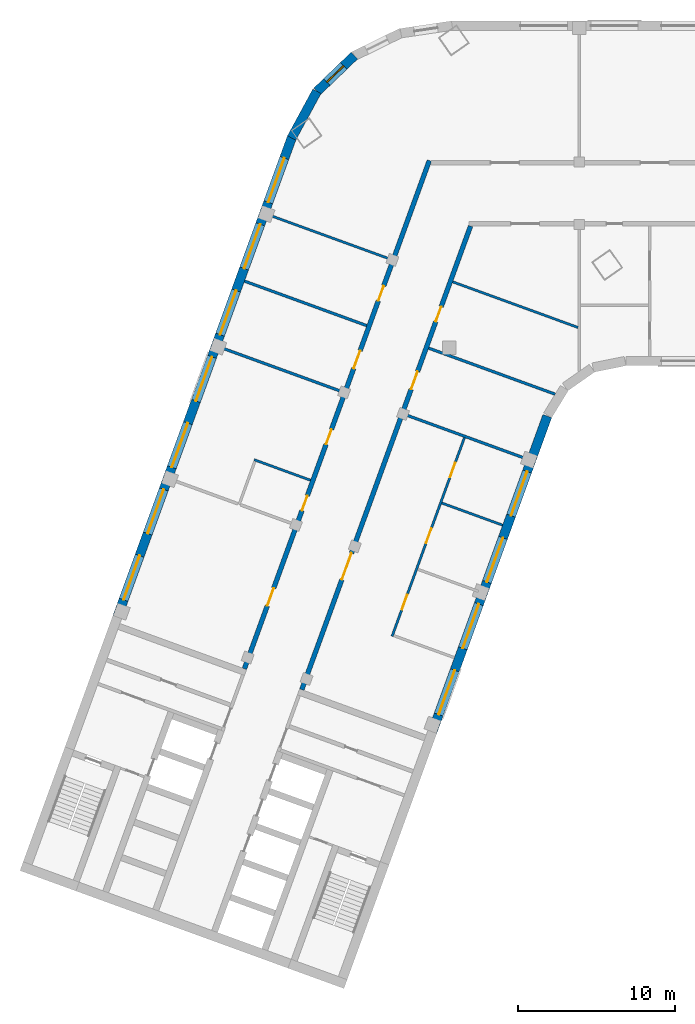
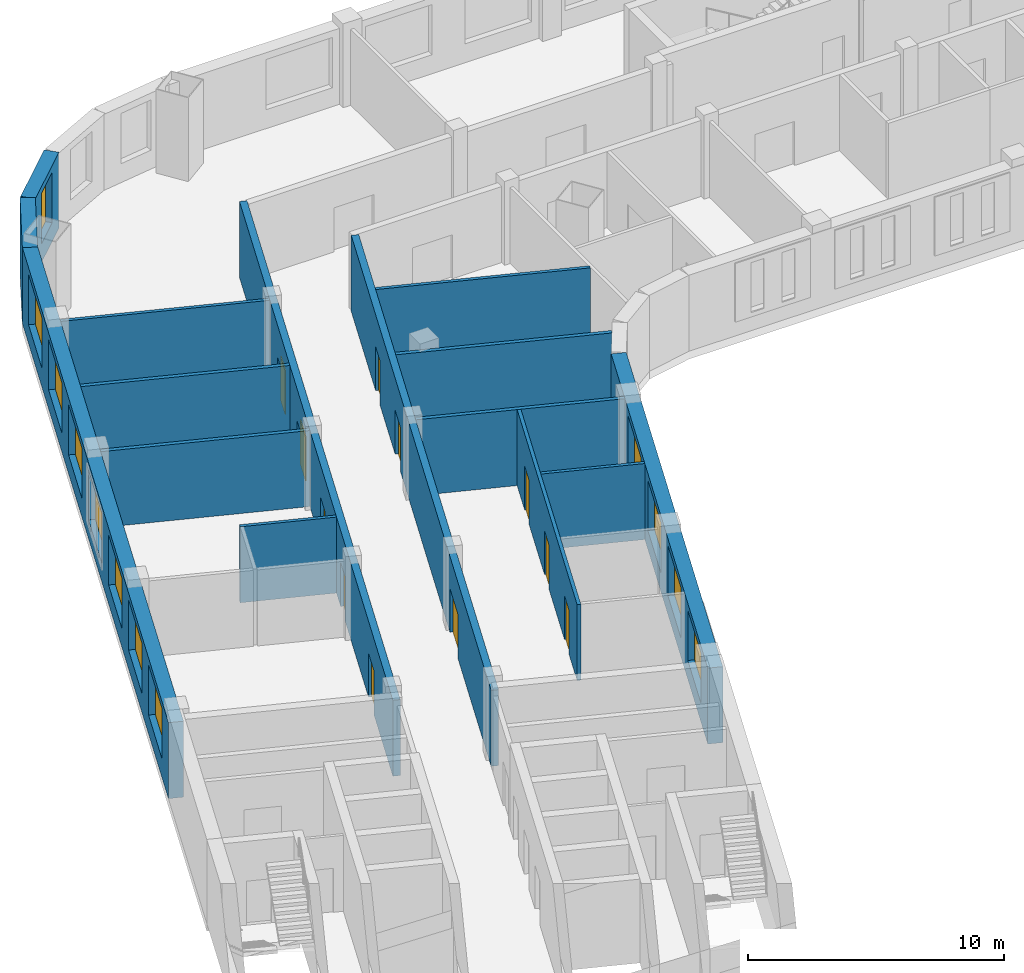
# One storey, part 3 of 8: 15 walls, 12 windows, 11 doors, 23 openings.
"""IFC4 building model written with IfcOpenShell, lengths in metres."""

from ifc_helpers import new_model, si_unit, direction, frame, frame_2d, origin, place, context, subcontext, project, spatial, rectangle, extrude, material, layer, layer_set, type_object, element, fill, save


model = new_model("IFC4")

# Units and contexts
model_context = context("Model", 3, precision=1e-05, world=origin(), true_north=direction((0.0, 1.0)))
body_context = subcontext(model_context, "Body", "Model", "MODEL_VIEW")
ifc_project = project(units=[si_unit("LENGTHUNIT", "METRE"), si_unit("AREAUNIT", "SQUARE_METRE"), si_unit("VOLUMEUNIT", "CUBIC_METRE"), si_unit("PLANEANGLEUNIT", "RADIAN"), si_unit("MASSUNIT", "GRAM", prefix="KILO")], contexts=[model_context])

# Site, building, storey
site_placement = place(None, origin())
site = spatial("IfcSite", under=ifc_project, at=site_placement, CompositionType="ELEMENT")
building_placement = place(site_placement, origin())
building = spatial("IfcBuilding", under=site, at=building_placement, Name="Skarvind Civic Tower", CompositionType="ELEMENT")
storey_placement = place(building_placement, frame((0.0, 0.0, 125.0)))
storey = spatial("IfcBuildingStorey", under=building, at=storey_placement, Name="L29", CompositionType="ELEMENT", Elevation=125.0)

# Walls
ifc_material_1 = material(Name="Acoustic gypsum board on steel studs", Category="steel")
ifc_layer_1 = layer(ifc_material_1, 0.175048828125)
ifc_layer_set_1 = layer_set([ifc_layer_1], Name="ACOUSTIC MEETING-ROOM PARTITION 175")
wall_type_1 = type_object("IfcWallType", Name="ACOUSTIC MEETING-ROOM PARTITION 175", PredefinedType="PARTITIONING", material=ifc_layer_set_1)
wall_1_placement = place(storey_placement, frame((31.35302734375, 118.166015625, 0.0), z_axis=(0.0, 0.0, 1.0), x_axis=(0.939687752599, -0.342033518263, 0.0)))
element("IfcWall", 1, at=wall_1_placement, inside=storey, type_object=wall_type_1, Name="Partition 29.002", PredefinedType="PARTITIONING", context=body_context, shape_type="SweptSolid", body=[
    extrude(rectangle(XDim=8.30078125, YDim=0.175048828125, at=frame_2d((4.150390625, 0.0))), origin(), (0.0, 0.0, 1.0), 3.625),
])
wall_2_placement = place(storey_placement, frame((32.89208984375, 122.39501953125, 0.0), z_axis=(0.0, 0.0, 1.0), x_axis=(0.939684311623, -0.3420429717, 0.0)))
element("IfcWall", 2, at=wall_2_placement, inside=storey, type_object=wall_type_1, Name="Partition 29.006", PredefinedType="PARTITIONING", context=body_context, shape_type="SweptSolid", body=[
    extrude(rectangle(XDim=8.300537109375, YDim=0.175048828125, at=frame_2d((4.150390625, 0.0))), origin(), (0.0, 0.0, 1.0), 3.625),
])
wall_3_placement = place(storey_placement, frame((43.10009765625, 113.89111328125, 0.0), z_axis=(0.0, 0.0, 1.0), x_axis=(0.939670544866, -0.342080790328, 0.0)))
element("IfcWall", 3, at=wall_3_placement, inside=storey, type_object=wall_type_1, Name="Partition 29.011", PredefinedType="PARTITIONING", context=body_context, shape_type="SweptSolid", body=[
    extrude(rectangle(XDim=8.299560546875, YDim=0.175048828125, at=frame_2d((4.14990234375, 0.0))), origin(), (0.0, 0.0, 1.0), 3.625),
])
wall_4_placement = place(storey_placement, frame((44.638916015625, 118.1201171875, 0.0), z_axis=(0.0, 0.0, 1.0), x_axis=(0.939669707102, -0.342083091593, 0.0)))
element("IfcWall", 4, at=wall_4_placement, inside=storey, type_object=wall_type_1, Name="Partition 29.013", PredefinedType="PARTITIONING", context=body_context, shape_type="SweptSolid", body=[
    extrude(rectangle(XDim=8.58935546875, YDim=0.175048828125, at=frame_2d((4.294677734375, 0.0))), origin(), (0.0, 0.0, 1.0), 3.625),
])

# Wall, openings, doors
ifc_material_2 = material(Name="Fire-rated gypsum board on steel studs", Category="steel")
ifc_layer_2 = layer(ifc_material_2, 0.300048828125)
ifc_layer_set_2 = layer_set([ifc_layer_2], Name="CORRIDOR WALL 300")
wall_type_2 = type_object("IfcWallType", Name="CORRIDOR WALL 300", PredefinedType="PARTITIONING", material=ifc_layer_set_2)
wall_5_placement = place(storey_placement, frame((32.881103515625, 97.656982421875, 0.0), z_axis=(0.0, 0.0, 1.0), x_axis=(0.342017360004, 0.939693633828, 0.0)))
wall_5 = element("IfcWall", 5, at=wall_5_placement, inside=storey, type_object=wall_type_2, Name="Partition 29.005", PredefinedType="PARTITIONING", context=body_context, shape_type="SweptSolid", body=[
    extrude(rectangle(XDim=34.515625, YDim=0.300048828125, at=frame_2d((17.2578125, 0.0))), origin(), (0.0, 0.0, 1.0), 3.625),
])
opening_1_placement = place(wall_5_placement, frame((4.27490234375, 0.0, 0.0)))
opening_1 = element("IfcOpeningElement", 6, at=opening_1_placement, cuts=wall_5, Name="Opening L29-D017", PredefinedType="OPENING", context=body_context, shape_type="SweptSolid", body=[
    extrude(rectangle(XDim=1.199951171875, YDim=2.10009765625, at=frame_2d((0.60009765625, 1.050048828125))), frame((0.0, 0.159912109375, 0.0), z_axis=(0.0, -1.0, 0.0), x_axis=(1.0, 0.0, 0.0)), (0.0, 0.0, 1.0), 0.320068359375),
])
opening_2_placement = place(wall_5_placement, frame((10.75, 0.0, 0.0)))
opening_2 = element("IfcOpeningElement", 7, at=opening_2_placement, cuts=wall_5, Name="Opening L29-D018", PredefinedType="OPENING", context=body_context, shape_type="SweptSolid", body=[
    extrude(rectangle(XDim=1.0, YDim=2.10009765625, at=frame_2d((0.5, 1.050048828125))), frame((0.0, 0.159912109375, 0.0), z_axis=(0.0, -1.0, 0.0), x_axis=(1.0, 0.0, 0.0)), (0.0, 0.0, 1.0), 0.320068359375),
])
opening_3_placement = place(wall_5_placement, frame((15.249755859375, 0.0, 0.0)))
opening_3 = element("IfcOpeningElement", 8, at=opening_3_placement, cuts=wall_5, Name="Opening L29-D019", PredefinedType="OPENING", context=body_context, shape_type="SweptSolid", body=[
    extrude(rectangle(XDim=1.0, YDim=2.10009765625, at=frame_2d((0.5, 1.050048828125))), frame((0.0, 0.159912109375, 0.0), z_axis=(0.0, -1.0, 0.0), x_axis=(1.0, 0.0, 0.0)), (0.0, 0.0, 1.0), 0.320068359375),
])
opening_4_placement = place(wall_5_placement, frame((20.39990234375, 0.0, 0.0)))
opening_4 = element("IfcOpeningElement", 9, at=opening_4_placement, cuts=wall_5, Name="Opening L29-D020", PredefinedType="OPENING", context=body_context, shape_type="SweptSolid", body=[
    extrude(rectangle(XDim=1.199951171875, YDim=2.10009765625, at=frame_2d((0.60009765625, 1.050048828125))), frame((0.0, 0.159912109375, 0.0), z_axis=(0.0, -1.0, 0.0), x_axis=(1.0, 0.0, 0.0)), (0.0, 0.0, 1.0), 0.320068359375),
])
opening_5_placement = place(wall_5_placement, frame((25.000244140625, 0.0, 0.0)))
opening_5 = element("IfcOpeningElement", 10, at=opening_5_placement, cuts=wall_5, Name="Opening L29-D021", PredefinedType="OPENING", context=body_context, shape_type="SweptSolid", body=[
    extrude(rectangle(XDim=1.0, YDim=2.10009765625, at=frame_2d((0.5, 1.050048828125))), frame((0.0, 0.159912109375, 0.0), z_axis=(0.0, -1.0, 0.0), x_axis=(1.0, 0.0, 0.0)), (0.0, 0.0, 1.0), 0.320068359375),
])
ifc_material_3 = material(Name="Fire-rated timber door leaf", Category="wood")
door_type_1 = type_object("IfcDoorType", Name="FD1 1000x2100", OperationType="NOTDEFINED", PredefinedType="DOOR", material=ifc_material_3)
door_1_placement = place(opening_2_placement, origin())
door_1 = element("IfcDoor", 11, at=door_1_placement, inside=storey, type_object=door_type_1, Name="Door L29-D018", OperationType="SINGLE_SWING_RIGHT", OverallHeight=2.10009765625, OverallWidth=1.0, PredefinedType="DOOR", context=body_context, shape_type="SweptSolid", body=[
    extrude(rectangle(XDim=1.0, YDim=2.10009765625, at=frame_2d((0.5, 1.050048828125))), frame((0.0, 0.02490234375, 0.0), z_axis=(0.0, -1.0, 0.0), x_axis=(1.0, 0.0, 0.0)), (0.0, 0.0, 1.0), 0.050048828125),
])
fill(opening_2, door_1)
door_2_placement = place(opening_3_placement, origin())
door_2 = element("IfcDoor", 12, at=door_2_placement, inside=storey, type_object=door_type_1, Name="Door L29-D019", OperationType="SINGLE_SWING_LEFT", OverallHeight=2.10009765625, OverallWidth=1.0, PredefinedType="DOOR", context=body_context, shape_type="SweptSolid", body=[
    extrude(rectangle(XDim=1.0, YDim=2.10009765625, at=frame_2d((0.5, 1.050048828125))), frame((0.0, 0.02490234375, 0.0), z_axis=(0.0, -1.0, 0.0), x_axis=(1.0, 0.0, 0.0)), (0.0, 0.0, 1.0), 0.050048828125),
])
fill(opening_3, door_2)
door_3_placement = place(opening_5_placement, origin())
door_3 = element("IfcDoor", 13, at=door_3_placement, inside=storey, type_object=door_type_1, Name="Door L29-D021", OperationType="SINGLE_SWING_RIGHT", OverallHeight=2.10009765625, OverallWidth=1.0, PredefinedType="DOOR", context=body_context, shape_type="SweptSolid", body=[
    extrude(rectangle(XDim=1.0, YDim=2.10009765625, at=frame_2d((0.5, 1.050048828125))), frame((0.0, 0.02490234375, 0.0), z_axis=(0.0, -1.0, 0.0), x_axis=(1.0, 0.0, 0.0)), (0.0, 0.0, 1.0), 0.050048828125),
])
fill(opening_5, door_3)
door_type_2 = type_object("IfcDoorType", Name="FD6 1200x2100 DOUBLE", OperationType="NOTDEFINED", PredefinedType="DOOR", material=ifc_material_3)
door_4_placement = place(opening_1_placement, origin())
door_4 = element("IfcDoor", 14, at=door_4_placement, inside=storey, type_object=door_type_2, Name="Door L29-D017", OperationType="DOUBLE_DOOR_SINGLE_SWING", OverallHeight=2.10009765625, OverallWidth=1.199951171875, PredefinedType="DOOR", context=body_context, shape_type="SweptSolid", body=[
    extrude(rectangle(XDim=1.199951171875, YDim=2.10009765625, at=frame_2d((0.60009765625, 1.050048828125))), frame((0.0, 0.02490234375, 0.0), z_axis=(0.0, -1.0, 0.0), x_axis=(1.0, 0.0, 0.0)), (0.0, 0.0, 1.0), 0.050048828125),
])
fill(opening_1, door_4)
door_5_placement = place(opening_4_placement, origin())
door_5 = element("IfcDoor", 15, at=door_5_placement, inside=storey, type_object=door_type_2, Name="Door L29-D020", OperationType="DOUBLE_DOOR_SINGLE_SWING", OverallHeight=2.10009765625, OverallWidth=1.199951171875, PredefinedType="DOOR", context=body_context, shape_type="SweptSolid", body=[
    extrude(rectangle(XDim=1.199951171875, YDim=2.10009765625, at=frame_2d((0.60009765625, 1.050048828125))), frame((0.0, 0.02490234375, 0.0), z_axis=(0.0, -1.0, 0.0), x_axis=(1.0, 0.0, 0.0)), (0.0, 0.0, 1.0), 0.050048828125),
])
fill(opening_4, door_5)

wall_6_placement = place(storey_placement, frame((47.31396484375, 125.908935546875, 0.0), z_axis=(0.0, 0.0, 1.0), x_axis=(-0.342010770371, -0.939696032209, 0.0)))
wall_6 = element("IfcWall", 16, at=wall_6_placement, inside=storey, type_object=wall_type_2, Name="Partition 29.016", PredefinedType="PARTITIONING", context=body_context, shape_type="SweptSolid", body=[
    extrude(rectangle(XDim=31.484619140625, YDim=0.300048828125, at=frame_2d((15.7421875, 0.0))), origin(), (0.0, 0.0, 1.0), 3.625),
])
opening_6_placement = place(wall_6_placement, frame((22.209716796875, 0.0, 0.0)))
opening_6 = element("IfcOpeningElement", 17, at=opening_6_placement, cuts=wall_6, Name="Opening L29-D025", PredefinedType="OPENING", context=body_context, shape_type="SweptSolid", body=[
    extrude(rectangle(XDim=1.800048828125, YDim=2.10009765625, at=frame_2d((0.89990234375, 1.050048828125))), frame((0.0, 0.159912109375, 0.0), z_axis=(0.0, -1.0, 0.0), x_axis=(1.0, 0.0, 0.0)), (0.0, 0.0, 1.0), 0.320068359375),
])
opening_7_placement = place(wall_6_placement, frame((9.884521484375, 0.0, 0.0)))
opening_7 = element("IfcOpeningElement", 18, at=opening_7_placement, cuts=wall_6, Name="Opening L29-D026", PredefinedType="OPENING", context=body_context, shape_type="SweptSolid", body=[
    extrude(rectangle(XDim=1.199951171875, YDim=2.10009765625, at=frame_2d((0.60009765625, 1.050048828125))), frame((0.0, 0.159912109375, 0.0), z_axis=(0.0, -1.0, 0.0), x_axis=(1.0, 0.0, 0.0)), (0.0, 0.0, 1.0), 0.320068359375),
])
opening_8_placement = place(wall_6_placement, frame((5.484130859375, 0.0, 0.0)))
opening_8 = element("IfcOpeningElement", 19, at=opening_8_placement, cuts=wall_6, Name="Opening L29-D027", PredefinedType="OPENING", context=body_context, shape_type="SweptSolid", body=[
    extrude(rectangle(XDim=1.0, YDim=2.10009765625, at=frame_2d((0.5, 1.050048828125))), frame((0.0, 0.159912109375, 0.0), z_axis=(0.0, -1.0, 0.0), x_axis=(1.0, 0.0, 0.0)), (0.0, 0.0, 1.0), 0.320068359375),
])
door_6_placement = place(opening_8_placement, origin())
door_6 = element("IfcDoor", 20, at=door_6_placement, inside=storey, type_object=door_type_1, Name="Door L29-D027", OperationType="SINGLE_SWING_LEFT", OverallHeight=2.10009765625, OverallWidth=1.0, PredefinedType="DOOR", context=body_context, shape_type="SweptSolid", body=[
    extrude(rectangle(XDim=1.0, YDim=2.10009765625, at=frame_2d((0.5, 1.050048828125))), frame((0.0, 0.02490234375, 0.0), z_axis=(0.0, -1.0, 0.0), x_axis=(1.0, 0.0, 0.0)), (0.0, 0.0, 1.0), 0.050048828125),
])
fill(opening_8, door_6)
door_type_3 = type_object("IfcDoorType", Name="FD4 1800x2100", OperationType="NOTDEFINED", PredefinedType="DOOR", material=ifc_material_3)
door_7_placement = place(opening_6_placement, origin())
door_7 = element("IfcDoor", 21, at=door_7_placement, inside=storey, type_object=door_type_3, Name="Door L29-D025", OperationType="DOUBLE_DOOR_SINGLE_SWING", OverallHeight=2.10009765625, OverallWidth=1.800048828125, PredefinedType="DOOR", context=body_context, shape_type="SweptSolid", body=[
    extrude(rectangle(XDim=1.800048828125, YDim=2.10009765625, at=frame_2d((0.89990234375, 1.050048828125))), frame((0.0, 0.02490234375, 0.0), z_axis=(0.0, -1.0, 0.0), x_axis=(1.0, 0.0, 0.0)), (0.0, 0.0, 1.0), 0.050048828125),
])
fill(opening_6, door_7)
door_8_placement = place(opening_7_placement, origin())
door_8 = element("IfcDoor", 22, at=door_8_placement, inside=storey, type_object=door_type_2, Name="Door L29-D026", OperationType="DOUBLE_DOOR_SINGLE_SWING", OverallHeight=2.10009765625, OverallWidth=1.199951171875, PredefinedType="DOOR", context=body_context, shape_type="SweptSolid", body=[
    extrude(rectangle(XDim=1.199951171875, YDim=2.10009765625, at=frame_2d((0.60009765625, 1.050048828125))), frame((0.0, 0.02490234375, 0.0), z_axis=(0.0, -1.0, 0.0), x_axis=(1.0, 0.0, 0.0)), (0.0, 0.0, 1.0), 0.050048828125),
])
fill(opening_7, door_8)

# Wall
ifc_material_4 = material(Name="Plasterboard partition on steel studs", Category="steel")
ifc_layer_3 = layer(ifc_material_4, 0.14990234375)
ifc_layer_set_3 = layer_set([ifc_layer_3], Name="PARTITION 150")
wall_type_3 = type_object("IfcWallType", Name="PARTITION 150", PredefinedType="PARTITIONING", material=ifc_layer_set_3)
wall_7_placement = place(storey_placement, frame((33.507080078125, 110.998046875, 0.0), z_axis=(0.0, 0.0, 1.0), x_axis=(0.939610657605, -0.342245251415, 0.0)))
element("IfcWall", 23, at=wall_7_placement, inside=storey, type_object=wall_type_3, Name="Partition 29.007", PredefinedType="PARTITIONING", context=body_context, shape_type="SweptSolid", body=[
    extrude(rectangle(XDim=3.824951171875, YDim=0.14990234375, at=frame_2d((1.91259765625, 0.0))), origin(), (0.0, 0.0, 1.0), 3.625),
])

# Wall, openings, doors
wall_8_placement = place(storey_placement, frame((42.30908203125, 99.73291015625, 0.0), z_axis=(0.0, 0.0, 1.0), x_axis=(0.342023551531, 0.939691380293, 0.0)))
wall_8 = element("IfcWall", 24, at=wall_8_placement, inside=storey, type_object=wall_type_3, Name="Partition 29.009", PredefinedType="PARTITIONING", context=body_context, shape_type="SweptSolid", body=[
    extrude(rectangle(XDim=13.487548828125, YDim=0.14990234375, at=frame_2d((6.74365234375, 0.0))), origin(), (0.0, 0.0, 1.0), 3.625),
])
opening_9_placement = place(wall_8_placement, frame((1.82470703125, 0.0, 0.0)))
opening_9 = element("IfcOpeningElement", 25, at=opening_9_placement, cuts=wall_8, Name="Opening L29-D022", PredefinedType="OPENING", context=body_context, shape_type="SweptSolid", body=[
    extrude(rectangle(XDim=1.0, YDim=2.10009765625, at=frame_2d((0.5, 1.050048828125))), frame((0.0, 0.0849609375, 0.0), z_axis=(0.0, -1.0, 0.0), x_axis=(1.0, 0.0, 0.0)), (0.0, 0.0, 1.0), 0.169921875),
])
opening_10_placement = place(wall_8_placement, frame((6.32470703125, 0.0, 0.0)))
opening_10 = element("IfcOpeningElement", 26, at=opening_10_placement, cuts=wall_8, Name="Opening L29-D023", PredefinedType="OPENING", context=body_context, shape_type="SweptSolid", body=[
    extrude(rectangle(XDim=1.0, YDim=2.10009765625, at=frame_2d((0.5, 1.050048828125))), frame((0.0, 0.0849609375, 0.0), z_axis=(0.0, -1.0, 0.0), x_axis=(1.0, 0.0, 0.0)), (0.0, 0.0, 1.0), 0.169921875),
])
opening_11_placement = place(wall_8_placement, frame((10.791015625, 0.0, 0.0)))
opening_11 = element("IfcOpeningElement", 27, at=opening_11_placement, cuts=wall_8, Name="Opening L29-D024", PredefinedType="OPENING", context=body_context, shape_type="SweptSolid", body=[
    extrude(rectangle(XDim=1.0, YDim=2.10009765625, at=frame_2d((0.5, 1.050048828125))), frame((0.0, 0.0849609375, 0.0), z_axis=(0.0, -1.0, 0.0), x_axis=(1.0, 0.0, 0.0)), (0.0, 0.0, 1.0), 0.169921875),
])
ifc_material_5 = material(Name="Timber door leaf", Category="wood")
door_type_4 = type_object("IfcDoorType", Name="D1 1000x2100", OperationType="NOTDEFINED", PredefinedType="DOOR", material=ifc_material_5)
door_9_placement = place(opening_9_placement, origin())
door_9 = element("IfcDoor", 28, at=door_9_placement, inside=storey, type_object=door_type_4, Name="Door L29-D022", OperationType="SINGLE_SWING_LEFT", OverallHeight=2.10009765625, OverallWidth=1.0, PredefinedType="DOOR", context=body_context, shape_type="SweptSolid", body=[
    extrude(rectangle(XDim=1.0, YDim=2.10009765625, at=frame_2d((0.5, 1.050048828125))), frame((0.0, 0.02490234375, 0.0), z_axis=(0.0, -1.0, 0.0), x_axis=(1.0, 0.0, 0.0)), (0.0, 0.0, 1.0), 0.050048828125),
])
fill(opening_9, door_9)
door_10_placement = place(opening_10_placement, origin())
door_10 = element("IfcDoor", 29, at=door_10_placement, inside=storey, type_object=door_type_4, Name="Door L29-D023", OperationType="SINGLE_SWING_LEFT", OverallHeight=2.10009765625, OverallWidth=1.0, PredefinedType="DOOR", context=body_context, shape_type="SweptSolid", body=[
    extrude(rectangle(XDim=1.0, YDim=2.10009765625, at=frame_2d((0.5, 1.050048828125))), frame((0.0, 0.02490234375, 0.0), z_axis=(0.0, -1.0, 0.0), x_axis=(1.0, 0.0, 0.0)), (0.0, 0.0, 1.0), 0.050048828125),
])
fill(opening_10, door_10)
door_11_placement = place(opening_11_placement, origin())
door_11 = element("IfcDoor", 30, at=door_11_placement, inside=storey, type_object=door_type_4, Name="Door L29-D024", OperationType="SINGLE_SWING_LEFT", OverallHeight=2.10009765625, OverallWidth=1.0, PredefinedType="DOOR", context=body_context, shape_type="SweptSolid", body=[
    extrude(rectangle(XDim=1.0, YDim=2.10009765625, at=frame_2d((0.5, 1.050048828125))), frame((0.0, 0.02490234375, 0.0), z_axis=(0.0, -1.0, 0.0), x_axis=(1.0, 0.0, 0.0)), (0.0, 0.0, 1.0), 0.050048828125),
])
fill(opening_11, door_11)

# Walls
wall_9_placement = place(storey_placement, frame((42.23095703125, 123.784912109375, 0.0), z_axis=(0.0, 0.0, 1.0), x_axis=(-0.939687752599, 0.342033518263, 0.0)))
element("IfcWall", 31, at=wall_9_placement, inside=storey, type_object=wall_type_3, Name="Partition 29.010", PredefinedType="PARTITIONING", context=body_context, shape_type="SweptSolid", body=[
    extrude(rectangle(XDim=8.30078125, YDim=0.14990234375, at=frame_2d((4.150390625, 0.0))), origin(), (0.0, 0.0, 1.0), 3.625),
])
wall_10_placement = place(storey_placement, frame((45.48291015625, 108.23388671875, 0.0), z_axis=(0.0, 0.0, 1.0), x_axis=(0.939791695678, -0.341747814529, 0.0)))
element("IfcWall", 32, at=wall_10_placement, inside=storey, type_object=wall_type_3, Name="Partition 29.015", PredefinedType="PARTITIONING", context=body_context, shape_type="SweptSolid", body=[
    extrude(rectangle(XDim=4.12548828125, YDim=0.14990234375, at=frame_2d((2.062744140625, 0.0))), origin(), (0.0, 0.0, 1.0), 3.625),
])
wall_11_placement = place(storey_placement, frame((54.179931640625, 119.43603515625, 0.0), z_axis=(0.0, 0.0, 1.0), x_axis=(-0.939669476286, 0.342083725624, 0.0)))
element("IfcWall", 33, at=wall_11_placement, inside=storey, type_object=wall_type_3, Name="Partition 29.018", PredefinedType="PARTITIONING", context=body_context, shape_type="SweptSolid", body=[
    extrude(rectangle(XDim=8.515625, YDim=0.14990234375, at=frame_2d((4.2578125, 0.0))), origin(), (0.0, 0.0, 1.0), 3.625),
])

# Wall, openings, windows
ifc_material_6 = material(Name="Limestone masonry cladding on insulated backing", Category="masonry")
ifc_layer_4 = layer(ifc_material_6, 0.60009765625)
ifc_layer_set_4 = layer_set([ifc_layer_4], Name="WX1 STONE FACADE WALL 600")
wall_type_4 = type_object("IfcWallType", Name="WX1 STONE FACADE WALL 600", PredefinedType="SOLIDWALL", material=ifc_layer_set_4)
wall_12_placement = place(storey_placement, frame((52.212158203125, 113.78271484375, 0.0), z_axis=(0.0, 0.0, 1.0), x_axis=(-0.34202521188, -0.939690775968, 0.0)))
wall_12 = element("IfcWall", 34, at=wall_12_placement, inside=storey, type_object=wall_type_4, Name="STONE FACADE WALL", PredefinedType="SOLIDWALL", context=body_context, shape_type="SweptSolid", body=[
    extrude(rectangle(XDim=21.744873046875, YDim=0.60009765625, at=frame_2d((10.87255859375, 0.0))), origin(), (0.0, 0.0, 1.0), 3.625),
])
opening_12_placement = place(wall_12_placement, frame((3.764892578125, 0.0, 0.89990234375)))
opening_12 = element("IfcOpeningElement", 35, at=opening_12_placement, cuts=wall_12, Name="Opening WN1", PredefinedType="OPENING", context=body_context, shape_type="SweptSolid", body=[
    extrude(rectangle(XDim=3.0, YDim=2.39990234375, at=frame_2d((1.5, 1.199951171875))), frame((0.0, 0.31005859375, 0.0), z_axis=(0.0, -1.0, 0.0), x_axis=(1.0, 0.0, 0.0)), (0.0, 0.0, 1.0), 0.6201171875),
])
opening_13_placement = place(wall_12_placement, frame((8.264892578125, 0.0, 0.89990234375)))
opening_13 = element("IfcOpeningElement", 36, at=opening_13_placement, cuts=wall_12, Name="Opening WN1", PredefinedType="OPENING", context=body_context, shape_type="SweptSolid", body=[
    extrude(rectangle(XDim=3.0, YDim=2.39990234375, at=frame_2d((1.5, 1.199951171875))), frame((0.0, 0.31005859375, 0.0), z_axis=(0.0, -1.0, 0.0), x_axis=(1.0, 0.0, 0.0)), (0.0, 0.0, 1.0), 0.6201171875),
])
opening_14_placement = place(wall_12_placement, frame((12.764892578125, 0.0, 0.89990234375)))
opening_14 = element("IfcOpeningElement", 37, at=opening_14_placement, cuts=wall_12, Name="Opening WN1", PredefinedType="OPENING", context=body_context, shape_type="SweptSolid", body=[
    extrude(rectangle(XDim=3.0, YDim=2.39990234375, at=frame_2d((1.5, 1.199951171875))), frame((0.0, 0.31005859375, 0.0), z_axis=(0.0, -1.0, 0.0), x_axis=(1.0, 0.0, 0.0)), (0.0, 0.0, 1.0), 0.6201171875),
])
opening_15_placement = place(wall_12_placement, frame((17.264892578125, 0.0, 0.89990234375)))
opening_15 = element("IfcOpeningElement", 38, at=opening_15_placement, cuts=wall_12, Name="Opening WN1", PredefinedType="OPENING", context=body_context, shape_type="SweptSolid", body=[
    extrude(rectangle(XDim=3.0, YDim=2.39990234375, at=frame_2d((1.5, 1.199951171875))), frame((0.0, 0.31005859375, 0.0), z_axis=(0.0, -1.0, 0.0), x_axis=(1.0, 0.0, 0.0)), (0.0, 0.0, 1.0), 0.6201171875),
])
ifc_material_7 = material(Name="Timber frame, double glazing, timber-lined reveal", Category="wood")
window_type_1 = type_object("IfcWindowType", Name="WN1 PUNCHED STONE WINDOW 3000 x 2400", PartitioningType="SINGLE_PANEL", PredefinedType="WINDOW", material=ifc_material_7)
window_1_placement = place(opening_12_placement, origin())
window_1 = element("IfcWindow", 39, at=window_1_placement, inside=storey, type_object=window_type_1, Name="WN1 WINDOW", OverallHeight=2.39990234375, OverallWidth=3.0, PartitioningType="SINGLE_PANEL", PredefinedType="WINDOW", context=body_context, shape_type="SweptSolid", body=[
    extrude(rectangle(XDim=3.0, YDim=2.39990234375, at=frame_2d((1.5, 1.199951171875))), frame((0.0, 0.030029296875, 0.0), z_axis=(0.0, -1.0, 0.0), x_axis=(1.0, 0.0, 0.0)), (0.0, 0.0, 1.0), 0.06005859375),
])
fill(opening_12, window_1)
window_2_placement = place(opening_13_placement, origin())
window_2 = element("IfcWindow", 40, at=window_2_placement, inside=storey, type_object=window_type_1, Name="WN1 WINDOW", OverallHeight=2.39990234375, OverallWidth=3.0, PartitioningType="SINGLE_PANEL", PredefinedType="WINDOW", context=body_context, shape_type="SweptSolid", body=[
    extrude(rectangle(XDim=3.0, YDim=2.39990234375, at=frame_2d((1.5, 1.199951171875))), frame((0.0, 0.030029296875, 0.0), z_axis=(0.0, -1.0, 0.0), x_axis=(1.0, 0.0, 0.0)), (0.0, 0.0, 1.0), 0.06005859375),
])
fill(opening_13, window_2)
window_3_placement = place(opening_14_placement, origin())
window_3 = element("IfcWindow", 41, at=window_3_placement, inside=storey, type_object=window_type_1, Name="WN1 WINDOW", OverallHeight=2.39990234375, OverallWidth=3.0, PartitioningType="SINGLE_PANEL", PredefinedType="WINDOW", context=body_context, shape_type="SweptSolid", body=[
    extrude(rectangle(XDim=3.0, YDim=2.39990234375, at=frame_2d((1.5, 1.199951171875))), frame((0.0, 0.030029296875, 0.0), z_axis=(0.0, -1.0, 0.0), x_axis=(1.0, 0.0, 0.0)), (0.0, 0.0, 1.0), 0.06005859375),
])
fill(opening_14, window_3)
window_4_placement = place(opening_15_placement, origin())
window_4 = element("IfcWindow", 42, at=window_4_placement, inside=storey, type_object=window_type_1, Name="WN1 WINDOW", OverallHeight=2.39990234375, OverallWidth=3.0, PartitioningType="SINGLE_PANEL", PredefinedType="WINDOW", context=body_context, shape_type="SweptSolid", body=[
    extrude(rectangle(XDim=3.0, YDim=2.39990234375, at=frame_2d((1.5, 1.199951171875))), frame((0.0, 0.030029296875, 0.0), z_axis=(0.0, -1.0, 0.0), x_axis=(1.0, 0.0, 0.0)), (0.0, 0.0, 1.0), 0.06005859375),
])
fill(opening_15, window_4)

# Wall, opening, window
wall_13_placement = place(storey_placement, frame((37.520263671875, 134.501220703125, 0.0), z_axis=(0.0, 0.0, 1.0), x_axis=(0.72115684486, 0.692771827596, 0.0)))
wall_13 = element("IfcWall", 43, at=wall_13_placement, inside=storey, type_object=wall_type_4, Name="STONE FACADE WALL", PredefinedType="SOLIDWALL", context=body_context, shape_type="SweptSolid", body=[
    extrude(rectangle(XDim=3.302734375, YDim=0.60009765625, at=frame_2d((1.6513671875, 0.0))), origin(), (0.0, 0.0, 1.0), 3.625),
])
opening_16_placement = place(wall_13_placement, frame((0.8564453125, 0.0, 0.89990234375)))
opening_16 = element("IfcOpeningElement", 44, at=opening_16_placement, cuts=wall_13, Name="Opening WN8", PredefinedType="OPENING", context=body_context, shape_type="SweptSolid", body=[
    extrude(rectangle(XDim=1.5, YDim=2.39990234375, at=frame_2d((0.75, 1.199951171875))), frame((0.0, 0.31005859375, 0.0), z_axis=(0.0, -1.0, 0.0), x_axis=(1.0, 0.0, 0.0)), (0.0, 0.0, 1.0), 0.6201171875),
])
window_type_2 = type_object("IfcWindowType", Name="WN8 ARC BAY WINDOW 1500 x 2400", PartitioningType="SINGLE_PANEL", PredefinedType="WINDOW", material=ifc_material_7)
window_5_placement = place(opening_16_placement, origin())
window_5 = element("IfcWindow", 45, at=window_5_placement, inside=storey, type_object=window_type_2, Name="WN8 WINDOW", OverallHeight=2.39990234375, OverallWidth=1.5, PartitioningType="SINGLE_PANEL", PredefinedType="WINDOW", context=body_context, shape_type="SweptSolid", body=[
    extrude(rectangle(XDim=1.5, YDim=2.39990234375, at=frame_2d((0.75, 1.199951171875))), frame((0.0, 0.030029296875, 0.0), z_axis=(0.0, -1.0, 0.0), x_axis=(1.0, 0.0, 0.0)), (0.0, 0.0, 1.0), 0.06005859375),
])
fill(opening_16, window_5)

# Wall
wall_14_placement = place(storey_placement, frame((35.89453125, 131.529541015625, 0.0), z_axis=(0.0, 0.0, 1.0), x_axis=(0.476531180538, 0.879157570618, 0.0)))
element("IfcWall", 46, at=wall_14_placement, inside=storey, type_object=wall_type_4, Name="STONE FACADE WALL", PredefinedType="SOLIDWALL", context=body_context, shape_type="SweptSolid", body=[
    extrude(rectangle(XDim=3.392578125, YDim=0.60009765625, at=frame_2d((1.6962890625, 0.0))), origin(), (0.0, 0.0, 1.0), 3.625),
])

# Wall, openings, windows
wall_15_placement = place(storey_placement, frame((24.66552734375, 100.668701171875, 0.0), z_axis=(0.0, 0.0, 1.0), x_axis=(0.34201964167, 0.939692803373, 0.0)))
wall_15 = element("IfcWall", 47, at=wall_15_placement, inside=storey, type_object=wall_type_4, Name="STONE FACADE WALL", PredefinedType="SOLIDWALL", context=body_context, shape_type="SweptSolid", body=[
    extrude(rectangle(XDim=32.88427734375, YDim=0.60009765625, at=frame_2d((16.442138671875, 0.0))), origin(), (0.0, 0.0, 1.0), 3.625),
])
opening_17_placement = place(wall_15_placement, frame((1.47998046875, 0.0, 0.89990234375)))
opening_17 = element("IfcOpeningElement", 48, at=opening_17_placement, cuts=wall_15, Name="Opening WN1", PredefinedType="OPENING", context=body_context, shape_type="SweptSolid", body=[
    extrude(rectangle(XDim=3.0, YDim=2.39990234375, at=frame_2d((1.5, 1.199951171875))), frame((0.0, 0.31005859375, 0.0), z_axis=(0.0, -1.0, 0.0), x_axis=(1.0, 0.0, 0.0)), (0.0, 0.0, 1.0), 0.6201171875),
])
opening_18_placement = place(wall_15_placement, frame((5.97998046875, 0.0, 0.89990234375)))
opening_18 = element("IfcOpeningElement", 49, at=opening_18_placement, cuts=wall_15, Name="Opening WN1", PredefinedType="OPENING", context=body_context, shape_type="SweptSolid", body=[
    extrude(rectangle(XDim=3.0, YDim=2.39990234375, at=frame_2d((1.5, 1.199951171875))), frame((0.0, 0.31005859375, 0.0), z_axis=(0.0, -1.0, 0.0), x_axis=(1.0, 0.0, 0.0)), (0.0, 0.0, 1.0), 0.6201171875),
])
opening_19_placement = place(wall_15_placement, frame((10.47998046875, 0.0, 0.89990234375)))
opening_19 = element("IfcOpeningElement", 50, at=opening_19_placement, cuts=wall_15, Name="Opening WN1", PredefinedType="OPENING", context=body_context, shape_type="SweptSolid", body=[
    extrude(rectangle(XDim=3.0, YDim=2.39990234375, at=frame_2d((1.5, 1.199951171875))), frame((0.0, 0.31005859375, 0.0), z_axis=(0.0, -1.0, 0.0), x_axis=(1.0, 0.0, 0.0)), (0.0, 0.0, 1.0), 0.6201171875),
])
opening_20_placement = place(wall_15_placement, frame((14.97998046875, 0.0, 0.89990234375)))
opening_20 = element("IfcOpeningElement", 51, at=opening_20_placement, cuts=wall_15, Name="Opening WN1", PredefinedType="OPENING", context=body_context, shape_type="SweptSolid", body=[
    extrude(rectangle(XDim=3.0, YDim=2.39990234375, at=frame_2d((1.5, 1.199951171875))), frame((0.0, 0.31005859375, 0.0), z_axis=(0.0, -1.0, 0.0), x_axis=(1.0, 0.0, 0.0)), (0.0, 0.0, 1.0), 0.6201171875),
])
opening_21_placement = place(wall_15_placement, frame((19.47998046875, 0.0, 0.89990234375)))
opening_21 = element("IfcOpeningElement", 52, at=opening_21_placement, cuts=wall_15, Name="Opening WN1", PredefinedType="OPENING", context=body_context, shape_type="SweptSolid", body=[
    extrude(rectangle(XDim=3.0, YDim=2.39990234375, at=frame_2d((1.5, 1.199951171875))), frame((0.0, 0.31005859375, 0.0), z_axis=(0.0, -1.0, 0.0), x_axis=(1.0, 0.0, 0.0)), (0.0, 0.0, 1.0), 0.6201171875),
])
opening_22_placement = place(wall_15_placement, frame((23.97998046875, 0.0, 0.89990234375)))
opening_22 = element("IfcOpeningElement", 53, at=opening_22_placement, cuts=wall_15, Name="Opening WN1", PredefinedType="OPENING", context=body_context, shape_type="SweptSolid", body=[
    extrude(rectangle(XDim=3.0, YDim=2.39990234375, at=frame_2d((1.5, 1.199951171875))), frame((0.0, 0.31005859375, 0.0), z_axis=(0.0, -1.0, 0.0), x_axis=(1.0, 0.0, 0.0)), (0.0, 0.0, 1.0), 0.6201171875),
])
opening_23_placement = place(wall_15_placement, frame((28.47998046875, 0.0, 0.89990234375)))
opening_23 = element("IfcOpeningElement", 54, at=opening_23_placement, cuts=wall_15, Name="Opening WN1", PredefinedType="OPENING", context=body_context, shape_type="SweptSolid", body=[
    extrude(rectangle(XDim=3.0, YDim=2.39990234375, at=frame_2d((1.5, 1.199951171875))), frame((0.0, 0.31005859375, 0.0), z_axis=(0.0, -1.0, 0.0), x_axis=(1.0, 0.0, 0.0)), (0.0, 0.0, 1.0), 0.6201171875),
])
window_6_placement = place(opening_17_placement, origin())
window_6 = element("IfcWindow", 55, at=window_6_placement, inside=storey, type_object=window_type_1, Name="WN1 WINDOW", OverallHeight=2.39990234375, OverallWidth=3.0, PartitioningType="SINGLE_PANEL", PredefinedType="WINDOW", context=body_context, shape_type="SweptSolid", body=[
    extrude(rectangle(XDim=3.0, YDim=2.39990234375, at=frame_2d((1.5, 1.199951171875))), frame((0.0, 0.030029296875, 0.0), z_axis=(0.0, -1.0, 0.0), x_axis=(1.0, 0.0, 0.0)), (0.0, 0.0, 1.0), 0.06005859375),
])
fill(opening_17, window_6)
window_7_placement = place(opening_18_placement, origin())
window_7 = element("IfcWindow", 56, at=window_7_placement, inside=storey, type_object=window_type_1, Name="WN1 WINDOW", OverallHeight=2.39990234375, OverallWidth=3.0, PartitioningType="SINGLE_PANEL", PredefinedType="WINDOW", context=body_context, shape_type="SweptSolid", body=[
    extrude(rectangle(XDim=3.0, YDim=2.39990234375, at=frame_2d((1.5, 1.199951171875))), frame((0.0, 0.030029296875, 0.0), z_axis=(0.0, -1.0, 0.0), x_axis=(1.0, 0.0, 0.0)), (0.0, 0.0, 1.0), 0.06005859375),
])
fill(opening_18, window_7)
window_8_placement = place(opening_19_placement, origin())
window_8 = element("IfcWindow", 57, at=window_8_placement, inside=storey, type_object=window_type_1, Name="WN1 WINDOW", OverallHeight=2.39990234375, OverallWidth=3.0, PartitioningType="SINGLE_PANEL", PredefinedType="WINDOW", context=body_context, shape_type="SweptSolid", body=[
    extrude(rectangle(XDim=3.0, YDim=2.39990234375, at=frame_2d((1.5, 1.199951171875))), frame((0.0, 0.030029296875, 0.0), z_axis=(0.0, -1.0, 0.0), x_axis=(1.0, 0.0, 0.0)), (0.0, 0.0, 1.0), 0.06005859375),
])
fill(opening_19, window_8)
window_9_placement = place(opening_20_placement, origin())
window_9 = element("IfcWindow", 58, at=window_9_placement, inside=storey, type_object=window_type_1, Name="WN1 WINDOW", OverallHeight=2.39990234375, OverallWidth=3.0, PartitioningType="SINGLE_PANEL", PredefinedType="WINDOW", context=body_context, shape_type="SweptSolid", body=[
    extrude(rectangle(XDim=3.0, YDim=2.39990234375, at=frame_2d((1.5, 1.199951171875))), frame((0.0, 0.030029296875, 0.0), z_axis=(0.0, -1.0, 0.0), x_axis=(1.0, 0.0, 0.0)), (0.0, 0.0, 1.0), 0.06005859375),
])
fill(opening_20, window_9)
window_10_placement = place(opening_21_placement, origin())
window_10 = element("IfcWindow", 59, at=window_10_placement, inside=storey, type_object=window_type_1, Name="WN1 WINDOW", OverallHeight=2.39990234375, OverallWidth=3.0, PartitioningType="SINGLE_PANEL", PredefinedType="WINDOW", context=body_context, shape_type="SweptSolid", body=[
    extrude(rectangle(XDim=3.0, YDim=2.39990234375, at=frame_2d((1.5, 1.199951171875))), frame((0.0, 0.030029296875, 0.0), z_axis=(0.0, -1.0, 0.0), x_axis=(1.0, 0.0, 0.0)), (0.0, 0.0, 1.0), 0.06005859375),
])
fill(opening_21, window_10)
window_11_placement = place(opening_22_placement, origin())
window_11 = element("IfcWindow", 60, at=window_11_placement, inside=storey, type_object=window_type_1, Name="WN1 WINDOW", OverallHeight=2.39990234375, OverallWidth=3.0, PartitioningType="SINGLE_PANEL", PredefinedType="WINDOW", context=body_context, shape_type="SweptSolid", body=[
    extrude(rectangle(XDim=3.0, YDim=2.39990234375, at=frame_2d((1.5, 1.199951171875))), frame((0.0, 0.030029296875, 0.0), z_axis=(0.0, -1.0, 0.0), x_axis=(1.0, 0.0, 0.0)), (0.0, 0.0, 1.0), 0.06005859375),
])
fill(opening_22, window_11)
window_12_placement = place(opening_23_placement, origin())
window_12 = element("IfcWindow", 61, at=window_12_placement, inside=storey, type_object=window_type_1, Name="WN1 WINDOW", OverallHeight=2.39990234375, OverallWidth=3.0, PartitioningType="SINGLE_PANEL", PredefinedType="WINDOW", context=body_context, shape_type="SweptSolid", body=[
    extrude(rectangle(XDim=3.0, YDim=2.39990234375, at=frame_2d((1.5, 1.199951171875))), frame((0.0, 0.030029296875, 0.0), z_axis=(0.0, -1.0, 0.0), x_axis=(1.0, 0.0, 0.0)), (0.0, 0.0, 1.0), 0.06005859375),
])
fill(opening_23, window_12)

save(model, "model.ifc")
